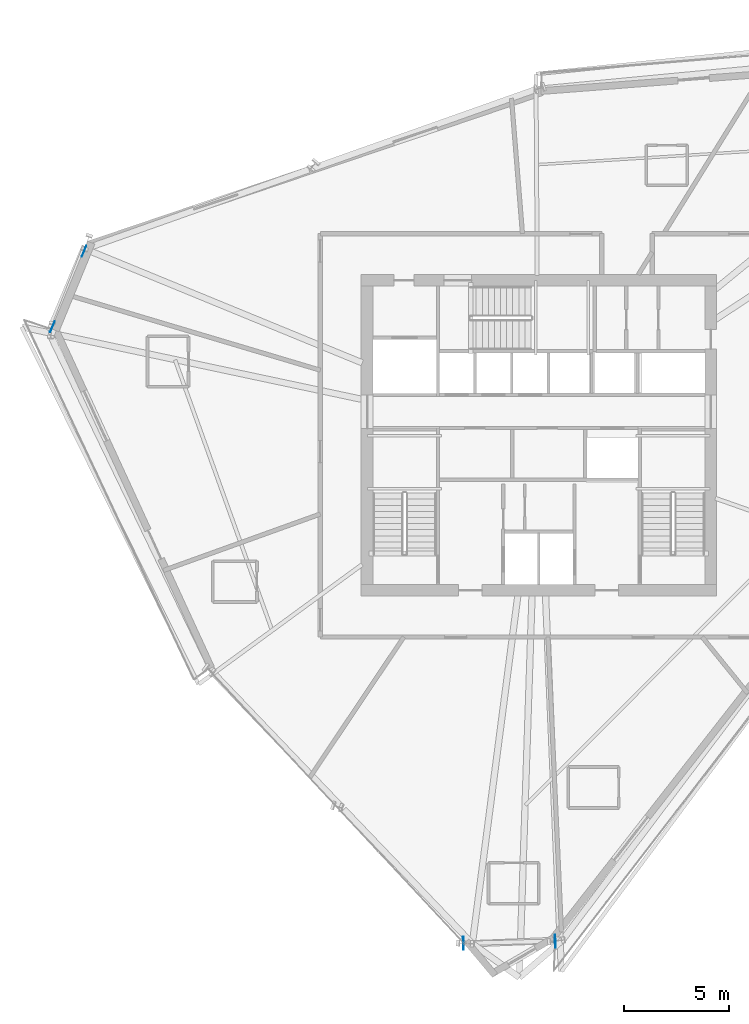
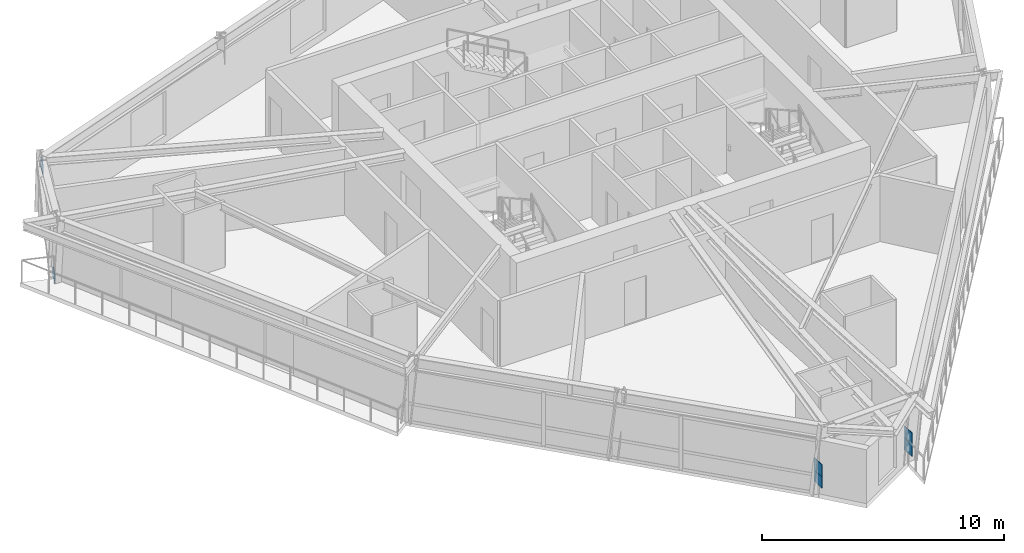
# One storey, part 6 of 14: 6 plates.
"""IFC4 building model written with IfcOpenShell, lengths in metres."""

from ifc_helpers import new_model, si_unit, direction, frame, origin, origin_2d, place, context, subcontext, project, spatial, rectangle, extrude, source, transform, mapped, material, type_object, element, save


model = new_model("IFC4")

# Units and contexts
model_context = context("Model", 3, precision=1e-05, world=origin(), true_north=direction((0.0, 1.0)))
body_context = subcontext(model_context, "Body", "Model", "MODEL_VIEW")
ifc_project = project(units=[si_unit("LENGTHUNIT", "METRE"), si_unit("AREAUNIT", "SQUARE_METRE"), si_unit("VOLUMEUNIT", "CUBIC_METRE"), si_unit("PLANEANGLEUNIT", "RADIAN"), si_unit("MASSUNIT", "GRAM", prefix="KILO")], contexts=[model_context])

# Site, building, storey
site_placement = place(None, origin())
site = spatial("IfcSite", under=ifc_project, at=site_placement, CompositionType="ELEMENT")
building_placement = place(site_placement, origin())
building = spatial("IfcBuilding", under=site, at=building_placement, Name="Olszyna Solenne Hotel", CompositionType="ELEMENT")
storey_placement = place(building_placement, frame((0.0, 0.0, 178.550048828125)))
storey = spatial("IfcBuildingStorey", under=building, at=storey_placement, Name="L47", CompositionType="ELEMENT", Elevation=178.550048828125)

# Plates
ifc_material_1 = material(Name="Steel S460M", Category="steel")
plate_type_1 = type_object("IfcPlateType", Name="GP-CAP2", PredefinedType="USERDEFINED", material=ifc_material_1)
shared_shape_1 = source(origin(), body_context, "Body", "SweptSolid", [
    extrude(rectangle(XDim=0.030029296875, YDim=0.6201171875, at=origin_2d()), origin(), (0.0, 0.0, 1.0), 0.6201171875),
])
for number, where, z_axis, x_axis, name in (
    (1, (34.412841796875, 2.42333984375, 1.039794921875), (0.0, 0.0, 1.0), (0.999701489781, 0.024432178153, 0.0), "Hollow section end-cap plate GP-CAP2 CP-PR-M-L47-PR1-1"),
    (2, (38.78369140625, 2.5302734375, 1.039794921875), (0.0, 0.0, 1.0), (0.999701489781, 0.024432178153, 0.0), "Hollow section end-cap plate GP-CAP2 CP-PR-M-L47-PR1-2"),
    (3, (34.412841796875, 2.42333984375, 0.469970703125), (0.0, 0.0, 1.0), (0.999701489781, 0.024432178153, 0.0), "Hollow section end-cap plate GP-CAP2 CP-PR-M-L47-PR2-1"),
    (4, (38.78369140625, 2.5302734375, 0.469970703125), (0.0, 0.0, 1.0), (0.999701489781, 0.024432178153, 0.0), "Hollow section end-cap plate GP-CAP2 CP-PR-M-L47-PR2-2"),
):
    element("IfcPlate", number, at=place(storey_placement, frame(where, z_axis=z_axis, x_axis=x_axis)), inside=storey, type_object=plate_type_1, Name=name, ObjectType="GUSSET_PLATE", PredefinedType="USERDEFINED", context=body_context, shape_type="MappedRepresentation", body=[
        mapped(shared_shape_1, transform((0.0, 0.0, 0.0), x_axis=(1.0, 0.0, 0.0), y_axis=(0.0, 1.0, 0.0), z_axis=(0.0, 0.0, 1.0), scale=1.0)),
    ])
ifc_material_2 = material(Name="Steel S355J2", Category="steel")
plate_type_2 = type_object("IfcPlateType", Name="GP-ND2", PredefinedType="USERDEFINED", material=ifc_material_2)
shared_shape_2 = source(origin(), body_context, "Body", "SweptSolid", [
    extrude(rectangle(XDim=0.56005859375, YDim=0.02001953125, at=origin_2d()), origin(), (0.0, 0.0, 1.0), 0.47998046875),
])
for number, where, z_axis, x_axis, name in (
    (5, (14.853515625, 31.7763671875, -0.14794921875), (0.0, 0.0, 1.0), (0.385906042324, 0.922538089456, 0.0), "Brace end connection gusset plate GP-ND2 EP-BR-L47-2-1"),
    (6, (16.355712890625, 35.36767578125, 2.677734375), (0.0, 0.0, 1.0), (0.385906042324, 0.922538089456, 0.0), "Brace end connection gusset plate GP-ND2 EP-BR-L47-2-2"),
):
    element("IfcPlate", number, at=place(storey_placement, frame(where, z_axis=z_axis, x_axis=x_axis)), inside=storey, type_object=plate_type_2, Name=name, ObjectType="GUSSET_PLATE", PredefinedType="USERDEFINED", context=body_context, shape_type="MappedRepresentation", body=[
        mapped(shared_shape_2, transform((0.0, 0.0, 0.0), x_axis=(1.0, 0.0, 0.0), y_axis=(0.0, 1.0, 0.0), z_axis=(0.0, 0.0, 1.0), scale=1.0)),
    ])

save(model, "model.ifc")
